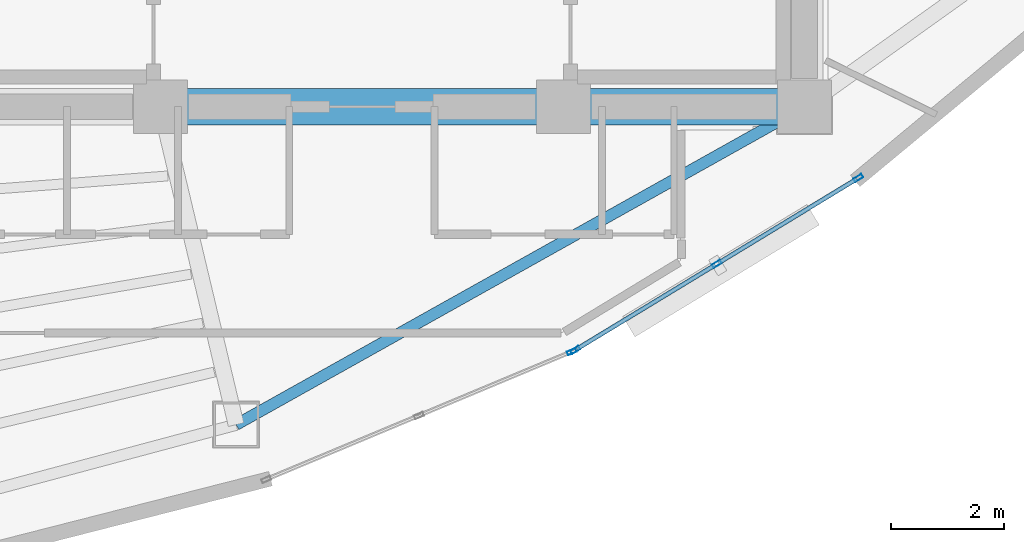
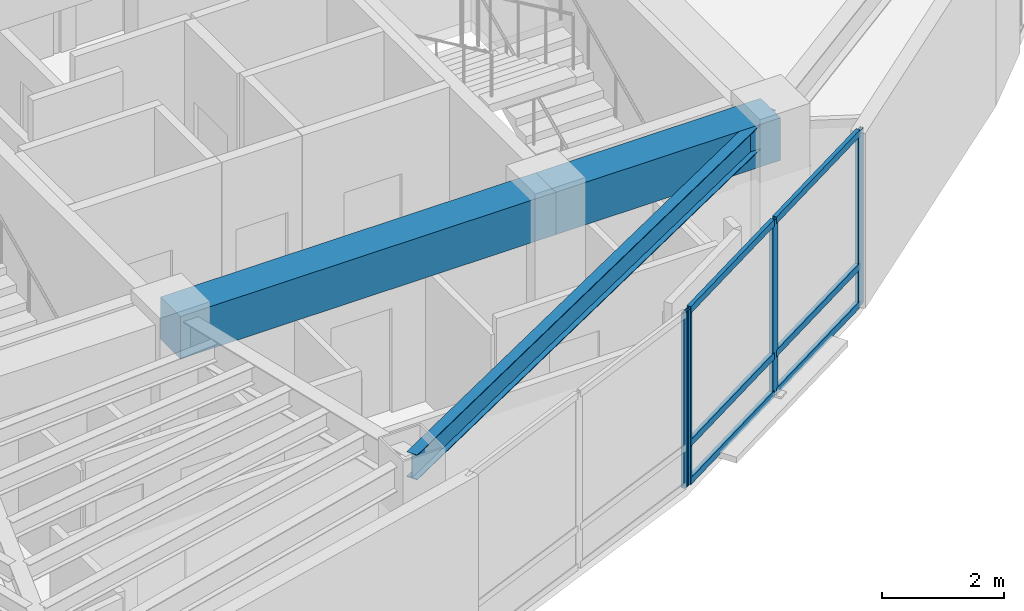
# One storey, part 5 of 16: 10 members, 3 beams, 2 elements without a shape of their own.
"""IFC4 building model written with IfcOpenShell, lengths in metres."""

from ifc_helpers import new_model, si_unit, direction, frame, origin, origin_2d, place, context, subcontext, project, spatial, rectangle, hollow_rectangle, i_section, extrude, material, layer, layer_set, material_profile, profile_set, type_object, element, aggregate, save


model = new_model("IFC4")

# Units and contexts
model_context = context("Model", 3, precision=1e-05, world=origin(), true_north=direction((0.0, 1.0)))
body_context = subcontext(model_context, "Body", "Model", "MODEL_VIEW")
ifc_project = project(units=[si_unit("LENGTHUNIT", "METRE"), si_unit("AREAUNIT", "SQUARE_METRE"), si_unit("VOLUMEUNIT", "CUBIC_METRE"), si_unit("PLANEANGLEUNIT", "RADIAN"), si_unit("MASSUNIT", "GRAM", prefix="KILO")], contexts=[model_context])

# Site, building, storey
site_placement = place(None, origin())
site = spatial("IfcSite", under=ifc_project, at=site_placement, CompositionType="ELEMENT")
building_placement = place(site_placement, origin())
building = spatial("IfcBuilding", under=site, at=building_placement, Name="Menara Vayukalpa", CompositionType="ELEMENT")
storey_placement = place(building_placement, frame((0.0, 0.0, 276.89990234375)))
storey = spatial("IfcBuildingStorey", under=building, at=storey_placement, Name="L70", CompositionType="ELEMENT", Elevation=276.89990234375)

# Beams
ifc_material_1 = material(Name="Concrete C60/75", Category="concrete")
ifc_material_profile_1 = material_profile(ifc_material_1, rectangle(XDim=0.64990234375, YDim=0.85009765625, at=origin_2d()), Name="RC 650x850")
ifc_profile_set_1 = profile_set([ifc_material_profile_1], Name="Concrete C60/75")
beam_type_1 = type_object("IfcBeamType", Name="BM-CB1", PredefinedType="BEAM", material=ifc_profile_set_1)
beam_1_placement = place(storey_placement, frame((22.050048828125, 17.199951171875, 3.0751953125), z_axis=(1.0, 0.0, 0.0), x_axis=(0.0, 1.0, 0.0)))
element("IfcBeam", 1, at=beam_1_placement, inside=storey, type_object=beam_type_1, Name="L70 Core Tie Beam CBR2", PredefinedType="BEAM", context=body_context, shape_type="SweptSolid", body=[
    extrude(rectangle(XDim=0.64990234375, YDim=0.85009765625, at=origin_2d()), origin(), (0.0, 0.0, 1.0), 7.099853515625),
])
beam_2_placement = place(storey_placement, frame((29.14990234375, 17.199951171875, 3.0751953125), z_axis=(1.0, 0.0, 0.0), x_axis=(0.0, 1.0, 0.0)))
element("IfcBeam", 2, at=beam_2_placement, inside=storey, type_object=beam_type_1, Name="L70 Core Tie Beam CBR3", PredefinedType="BEAM", context=body_context, shape_type="SweptSolid", body=[
    extrude(rectangle(XDim=0.64990234375, YDim=0.85009765625, at=origin_2d()), origin(), (0.0, 0.0, 1.0), 4.25),
])
ifc_material_2 = material(Name="Steel S355", Category="steel")
ifc_material_profile_2 = material_profile(ifc_material_2, i_section(OverallWidth=0.199951171875, OverallDepth=0.5, WebThickness=0.010009765625, FlangeThickness=0.01611328125, at=origin_2d()), Name="WF 500x200x10x16")
ifc_profile_set_2 = profile_set([ifc_material_profile_2], Name="Steel S355")
beam_type_2 = type_object("IfcBeamType", Name="BM-SP3", PredefinedType="SPANDREL", material=ifc_profile_set_2)
beam_3_placement = place(storey_placement, frame((23.3818359375, 11.59521484375, 3.25), z_axis=(0.87270577288, 0.48824648896, 0.0), x_axis=(-0.48824648896, 0.87270577288, 0.0)))
element("IfcBeam", 3, at=beam_3_placement, inside=storey, type_object=beam_type_2, Name="L70 Perimeter Spandrel Beam SP08", PredefinedType="SPANDREL", context=body_context, shape_type="SweptSolid", body=[
    extrude(i_section(OverallWidth=0.199951171875, OverallDepth=0.5, WebThickness=0.010009765625, FlangeThickness=0.01611328125, at=origin_2d()), origin(), (0.0, 0.0, 1.0), 11.479248046875),
])

# Curtain wall, member
ifc_material_3 = material(Name="Anodised Terracotta Aluminium Alloy 6063-T6", Category="masonry")
ifc_layer = layer(ifc_material_3, 0.1650390625)
ifc_layer_set = layer_set([ifc_layer], Name="Anodised Terracotta Aluminium Alloy 6063-T6")
curtain_wall_type = type_object("IfcCurtainWallType", Name="CW-CW6", PredefinedType="USERDEFINED", material=ifc_layer_set)
curtain_wall_1_placement = place(storey_placement, origin())
curtain_wall_1 = element("IfcCurtainWall", 4, at=curtain_wall_1_placement, inside=storey, type_object=curtain_wall_type, Name="L70 Observation and Executive Curtain Wall CW6 16", ObjectType="UNITISED", PredefinedType="USERDEFINED")
ifc_material_4 = material(Name="Anodised Terracotta Aluminium Alloy 6063-T6", Category="masonry")
ifc_material_profile_3 = material_profile(ifc_material_4, hollow_rectangle(XDim=0.070068359375, YDim=0.1650390625, WallThickness=0.00390625, at=origin_2d()), Name="ALU 70x165x4")
ifc_profile_set_3 = profile_set([ifc_material_profile_3], Name="Anodised Terracotta Aluminium Alloy 6063-T6")
member_type_1 = type_object("IfcMemberType", Name="CWM-CW6", PredefinedType="MULLION", material=ifc_profile_set_3)
member_1_placement = place(storey_placement, frame((29.298828125, 12.881103515625, 0.0), z_axis=(0.0, 0.0, 1.0), x_axis=(-0.385899911703, 0.922540653927, 0.0)))
member_1 = element("IfcMember", 5, at=member_1_placement, type_object=member_type_1, Name="CW6 mullion 3", PredefinedType="MULLION", context=body_context, shape_type="SweptSolid", body=[
    extrude(hollow_rectangle(XDim=0.070068359375, YDim=0.1650390625, WallThickness=0.00390625, at=origin_2d()), origin(), (0.0, 0.0, 1.0), 3.5),
])
aggregate(curtain_wall_1, [member_1])

# Curtain wall, members
curtain_wall_2_placement = place(storey_placement, origin())
curtain_wall_2 = element("IfcCurtainWall", 6, at=curtain_wall_2_placement, inside=storey, type_object=curtain_wall_type, Name="L70 Observation and Executive Curtain Wall CW6 17", ObjectType="UNITISED", PredefinedType="USERDEFINED")
member_2_placement = place(storey_placement, frame((29.36083984375, 12.912841796875, 0.0), z_axis=(0.0, 0.0, 1.0), x_axis=(-0.519175574558, 0.854667609532, 0.0)))
member_2 = element("IfcMember", 7, at=member_2_placement, type_object=member_type_1, Name="CW6 mullion 1", PredefinedType="MULLION", context=body_context, shape_type="SweptSolid", body=[
    extrude(hollow_rectangle(XDim=0.070068359375, YDim=0.1650390625, WallThickness=0.00390625, at=origin_2d()), origin(), (0.0, 0.0, 1.0), 3.5),
])
member_3_placement = place(storey_placement, frame((31.85546875, 14.42822265625, 0.0), z_axis=(0.0, 0.0, 1.0), x_axis=(-0.519175574558, 0.854667609532, 0.0)))
member_3 = element("IfcMember", 8, at=member_3_placement, type_object=member_type_1, Name="CW6 mullion 2", PredefinedType="MULLION", context=body_context, shape_type="SweptSolid", body=[
    extrude(hollow_rectangle(XDim=0.070068359375, YDim=0.1650390625, WallThickness=0.00390625, at=origin_2d()), origin(), (0.0, 0.0, 1.0), 3.5),
])
member_4_placement = place(storey_placement, frame((34.35009765625, 15.943603515625, 0.0), z_axis=(0.0, 0.0, 1.0), x_axis=(-0.519175574558, 0.854667609532, 0.0)))
member_4 = element("IfcMember", 9, at=member_4_placement, type_object=member_type_1, Name="CW6 mullion 3", PredefinedType="MULLION", context=body_context, shape_type="SweptSolid", body=[
    extrude(hollow_rectangle(XDim=0.070068359375, YDim=0.1650390625, WallThickness=0.00390625, at=origin_2d()), origin(), (0.0, 0.0, 1.0), 3.5),
])
ifc_material_5 = material(Name="Anodised Terracotta Aluminium Alloy 6063-T6", Category="masonry")
ifc_material_profile_4 = material_profile(ifc_material_5, hollow_rectangle(XDim=0.074951171875, YDim=0.135009765625, WallThickness=0.00390625, at=origin_2d()), Name="ALU 75x135x4")
ifc_profile_set_4 = profile_set([ifc_material_profile_4], Name="Anodised Terracotta Aluminium Alloy 6063-T6")
member_type_2 = type_object("IfcMemberType", Name="CWT-CW6", PredefinedType="USERDEFINED", material=ifc_profile_set_4)
member_5_placement = place(storey_placement, frame((29.390869140625, 12.93115234375, 0.03759765625), z_axis=(0.854689729536, 0.519139158825, 0.0), x_axis=(-0.519139158825, 0.854689729536, 0.0)))
member_5 = element("IfcMember", 10, at=member_5_placement, type_object=member_type_2, Name="CW6 transom 1.1", ObjectType="TRANSOM", PredefinedType="USERDEFINED", context=body_context, shape_type="SweptSolid", body=[
    extrude(hollow_rectangle(XDim=0.074951171875, YDim=0.135009765625, WallThickness=0.00390625, at=origin_2d()), origin(), (0.0, 0.0, 1.0), 2.848388671875),
])
member_6_placement = place(storey_placement, frame((29.390869140625, 12.93115234375, 0.800048828125), z_axis=(0.854689729536, 0.519139158825, 0.0), x_axis=(-0.519139158825, 0.854689729536, 0.0)))
member_6 = element("IfcMember", 11, at=member_6_placement, type_object=member_type_2, Name="CW6 transom 1.2", ObjectType="TRANSOM", PredefinedType="USERDEFINED", context=body_context, shape_type="SweptSolid", body=[
    extrude(hollow_rectangle(XDim=0.074951171875, YDim=0.135009765625, WallThickness=0.00390625, at=origin_2d()), origin(), (0.0, 0.0, 1.0), 2.848388671875),
])
member_7_placement = place(storey_placement, frame((29.390869140625, 12.93115234375, 3.462646484375), z_axis=(0.854689729536, 0.519139158825, 0.0), x_axis=(-0.519139158825, 0.854689729536, 0.0)))
member_7 = element("IfcMember", 12, at=member_7_placement, type_object=member_type_2, Name="CW6 transom 1.3", ObjectType="TRANSOM", PredefinedType="USERDEFINED", context=body_context, shape_type="SweptSolid", body=[
    extrude(hollow_rectangle(XDim=0.074951171875, YDim=0.135009765625, WallThickness=0.00390625, at=origin_2d()), origin(), (0.0, 0.0, 1.0), 2.848388671875),
])
member_8_placement = place(storey_placement, frame((31.88525390625, 14.4462890625, 0.03759765625), z_axis=(0.854674800659, 0.519163736328, 0.0), x_axis=(-0.519163736328, 0.85467480066, 0.0)))
member_8 = element("IfcMember", 13, at=member_8_placement, type_object=member_type_2, Name="CW6 transom 2.1", ObjectType="TRANSOM", PredefinedType="USERDEFINED", context=body_context, shape_type="SweptSolid", body=[
    extrude(hollow_rectangle(XDim=0.074951171875, YDim=0.135009765625, WallThickness=0.00390625, at=origin_2d()), origin(), (0.0, 0.0, 1.0), 2.848876953125),
])
member_9_placement = place(storey_placement, frame((31.88525390625, 14.4462890625, 0.800048828125), z_axis=(0.854674800659, 0.519163736328, 0.0), x_axis=(-0.519163736328, 0.85467480066, 0.0)))
member_9 = element("IfcMember", 14, at=member_9_placement, type_object=member_type_2, Name="CW6 transom 2.2", ObjectType="TRANSOM", PredefinedType="USERDEFINED", context=body_context, shape_type="SweptSolid", body=[
    extrude(hollow_rectangle(XDim=0.074951171875, YDim=0.135009765625, WallThickness=0.00390625, at=origin_2d()), origin(), (0.0, 0.0, 1.0), 2.848876953125),
])
member_10_placement = place(storey_placement, frame((31.88525390625, 14.4462890625, 3.462646484375), z_axis=(0.854674800659, 0.519163736328, 0.0), x_axis=(-0.519163736328, 0.85467480066, 0.0)))
member_10 = element("IfcMember", 15, at=member_10_placement, type_object=member_type_2, Name="CW6 transom 2.3", ObjectType="TRANSOM", PredefinedType="USERDEFINED", context=body_context, shape_type="SweptSolid", body=[
    extrude(hollow_rectangle(XDim=0.074951171875, YDim=0.135009765625, WallThickness=0.00390625, at=origin_2d()), origin(), (0.0, 0.0, 1.0), 2.848876953125),
])
aggregate(curtain_wall_2, [member_2, member_3, member_4, member_5, member_6, member_7, member_8, member_9, member_10])

save(model, "model.ifc")
